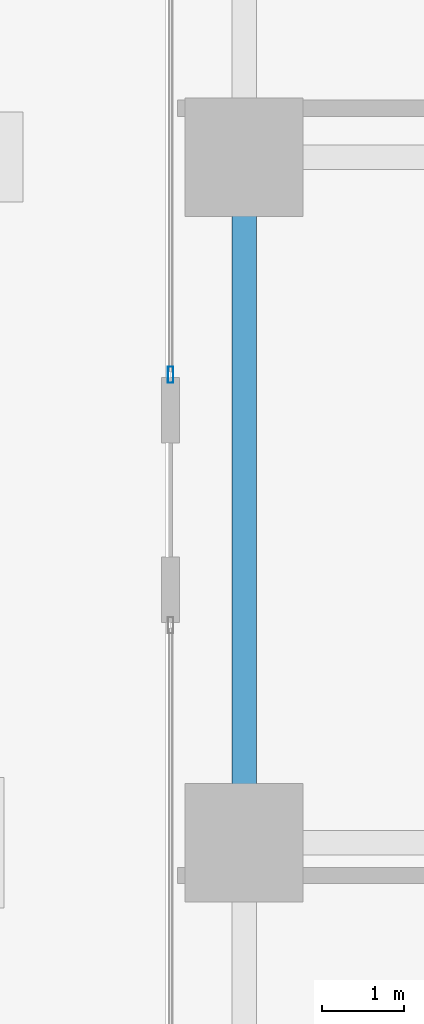
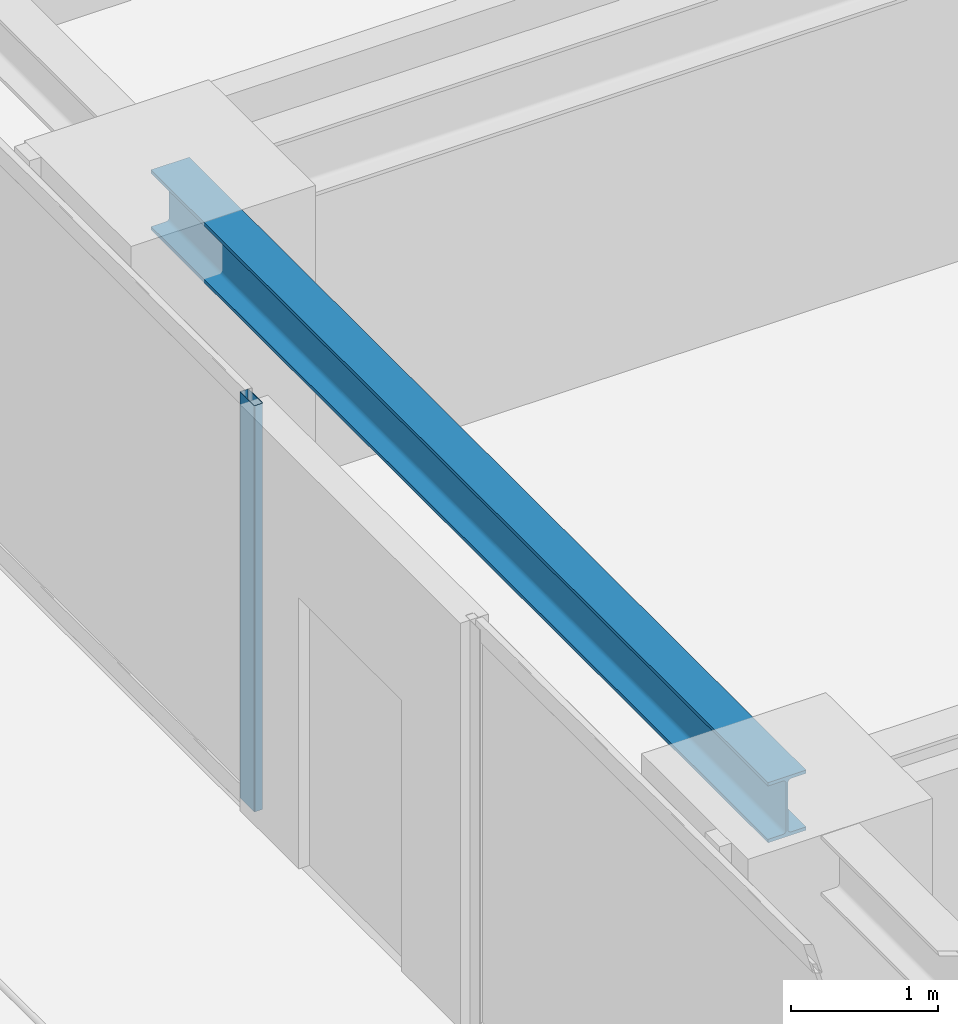
# One storey, part 9 of 40: 1 beam, 1 member, 1 element without a shape of its own.
"""IFC4 building model written with IfcOpenShell, lengths in metres."""

from ifc_helpers import new_model, si_unit, direction, frame, origin, origin_2d, place, context, subcontext, project, spatial, hollow_rectangle, i_section, extrude, source, transform, mapped, material, layer, layer_set, material_profile, profile_set, type_object, element, aggregate, save


model = new_model("IFC4")

# Units and contexts
model_context = context("Model", 3, precision=1e-05, world=origin(), true_north=direction((0.0, 1.0)))
body_context = subcontext(model_context, "Body", "Model", "MODEL_VIEW")
ifc_project = project(units=[si_unit("LENGTHUNIT", "METRE"), si_unit("AREAUNIT", "SQUARE_METRE"), si_unit("VOLUMEUNIT", "CUBIC_METRE"), si_unit("PLANEANGLEUNIT", "RADIAN"), si_unit("MASSUNIT", "GRAM", prefix="KILO")], contexts=[model_context])

# Site, building, storey
site_placement = place(None, origin())
site = spatial("IfcSite", under=ifc_project, at=site_placement, CompositionType="ELEMENT")
building_placement = place(site_placement, origin())
building = spatial("IfcBuilding", under=site, at=building_placement, Name="Serunith Strait Residences", CompositionType="ELEMENT")
storey_placement = place(building_placement, frame((0.0, 0.0, 105.449951171875)))
storey = spatial("IfcBuildingStorey", under=building, at=storey_placement, Name="L26", CompositionType="ELEMENT", Elevation=105.449951171875)

# Beam
ifc_material_1 = material(Name="Steel S355J2", Category="steel")
ifc_material_profile_1 = material_profile(ifc_material_1, i_section(OverallWidth=0.300048828125, OverallDepth=0.5, WebThickness=0.014404296875, FlangeThickness=0.028076171875, FilletRadius=0.027099609375, at=origin_2d()), Name="HEB 500")
ifc_profile_set_1 = profile_set([ifc_material_profile_1], Name="Steel S355J2")
beam_type = type_object("IfcBeamType", Name="BM-HEB500", PredefinedType="BEAM", material=ifc_profile_set_1)
shared_shape_1 = source(origin(), body_context, "Body", "SweptSolid", [
    extrude(i_section(OverallWidth=0.300048828125, OverallDepth=0.5, WebThickness=0.014404296875, FlangeThickness=0.028076171875, FilletRadius=0.027099609375, at=origin_2d()), origin(), (0.0, 0.0, 1.0), 8.39990234375),
])
beam_placement = place(storey_placement, frame((6.89990234375, 29.39990234375, 3.136962890625), z_axis=(0.0, -1.0, 0.0), x_axis=(1.0, 0.0, 0.0)))
element("IfcBeam", 1, at=beam_placement, inside=storey, type_object=beam_type, Name="L26 Perimeter Ring Beam 14", PredefinedType="BEAM", context=body_context, shape_type="MappedRepresentation", body=[
    mapped(shared_shape_1, transform((0.0, 0.0, 0.0), scale=1.0)),
])

# Curtain wall, member
ifc_material_2 = material(Name="Pale-Champagne Anodised Aluminium", Category="aluminium")
ifc_layer = layer(ifc_material_2, 0.199951171875, Name="Pale-Champagne Anodised Aluminium")
ifc_layer_set = layer_set([ifc_layer], Name="Pale-Champagne Anodised Aluminium")
curtain_wall_type = type_object("IfcCurtainWallType", Name="CW-SYS1", PredefinedType="NOTDEFINED", material=ifc_layer_set)
curtain_wall_placement = place(storey_placement, origin())
curtain_wall = element("IfcCurtainWall", 2, at=curtain_wall_placement, inside=storey, type_object=curtain_wall_type, Name="L26 W Unitised Fritted Curtain Wall", PredefinedType="NOTDEFINED")
ifc_material_profile_2 = material_profile(ifc_material_2, hollow_rectangle(XDim=0.070068359375, YDim=0.199951171875, WallThickness=0.00390625, InnerFilletRadius=0.006103515625, OuterFilletRadius=0.010009765625, at=origin_2d()), Name="ALU 200x70x4")
ifc_profile_set_2 = profile_set([ifc_material_profile_2], Name="Pale-Champagne Anodised Aluminium")
member_type = type_object("IfcMemberType", Name="CW-SYS1-MULL", PredefinedType="MULLION", material=ifc_profile_set_2)
shared_shape_2 = source(origin(), body_context, "Body", "SweptSolid", [
    extrude(hollow_rectangle(XDim=0.070068359375, YDim=0.199951171875, WallThickness=0.00390625, InnerFilletRadius=0.006103515625, OuterFilletRadius=0.010009765625, at=origin_2d()), origin(), (0.0, 0.0, 1.0), 3.375),
])
member_placement = place(storey_placement, frame((6.0, 26.735107421875, 0.0), z_axis=(0.0, 0.0, 1.0), x_axis=(1.0, 0.0, 0.0)))
member = element("IfcMember", 3, at=member_placement, type_object=member_type, Name="CW-1 mullion 3", PredefinedType="MULLION", context=body_context, shape_type="MappedRepresentation", body=[
    mapped(shared_shape_2, transform((0.0, 0.0, 0.0), scale=1.0)),
])
aggregate(curtain_wall, [member])

save(model, "model.ifc")
